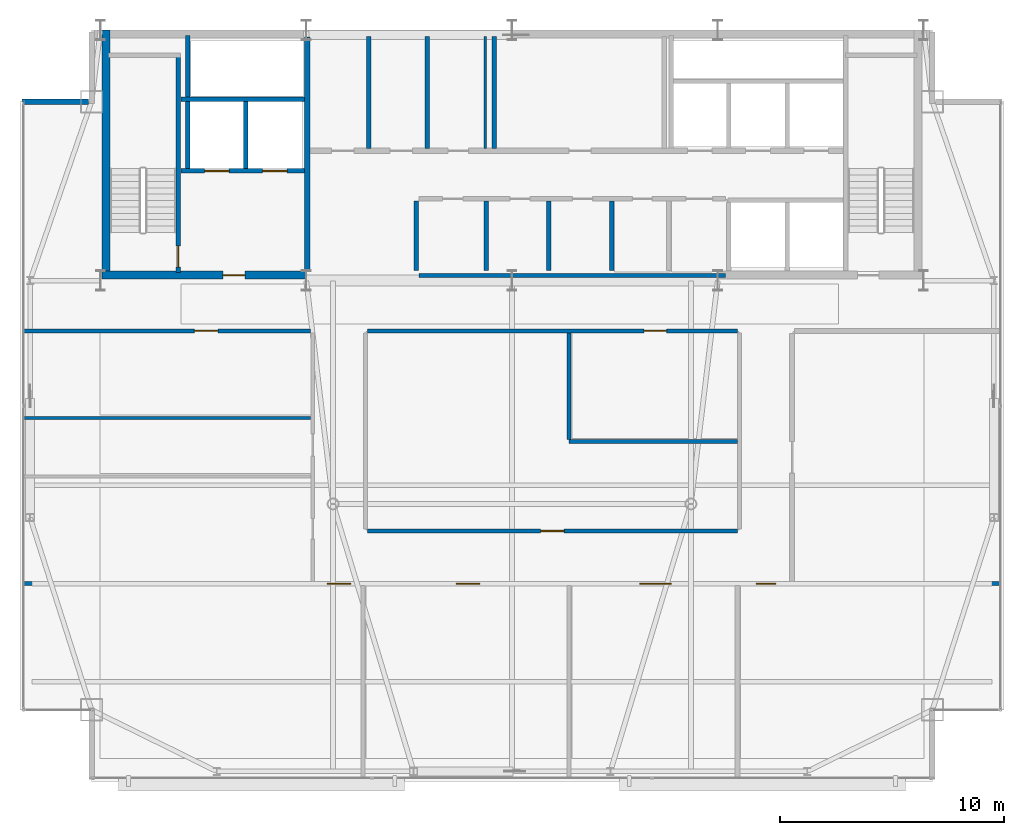
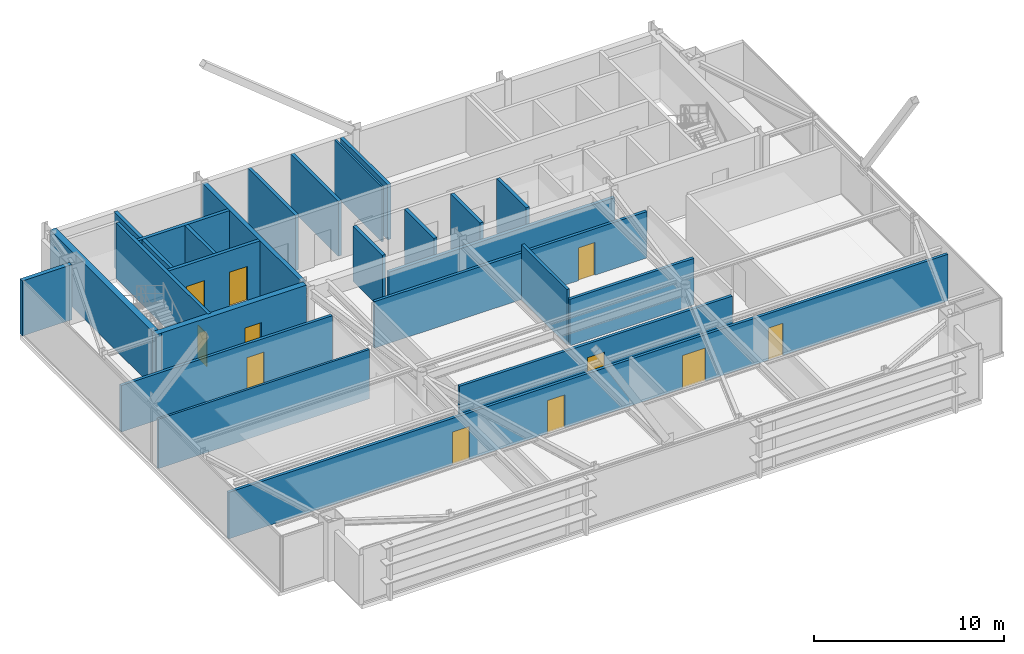
# One storey, part 21 of 24: 25 walls, 11 doors, 11 openings.
"""IFC4 building model written with IfcOpenShell, lengths in metres."""

from ifc_helpers import new_model, si_unit, direction, frame, frame_2d, origin, place, context, subcontext, project, spatial, rectangle, extrude, source, transform, mapped, material, layer, layer_set, type_object, type_shapes, element, fill, save


model = new_model("IFC4")

# Units and contexts
model_context = context("Model", 3, precision=1e-05, world=origin(), true_north=direction((0.0, 1.0)))
body_context = subcontext(model_context, "Body", "Model", "MODEL_VIEW")
ifc_project = project(units=[si_unit("LENGTHUNIT", "METRE"), si_unit("AREAUNIT", "SQUARE_METRE"), si_unit("VOLUMEUNIT", "CUBIC_METRE"), si_unit("PLANEANGLEUNIT", "RADIAN"), si_unit("MASSUNIT", "GRAM", prefix="KILO")], contexts=[model_context])

# Site, building, storey
site_placement = place(None, origin())
site = spatial("IfcSite", under=ifc_project, at=site_placement, CompositionType="ELEMENT")
building_placement = place(site_placement, origin())
building = spatial("IfcBuilding", under=site, at=building_placement, Name="Varnel Quay Broadcast Tower", CompositionType="ELEMENT")
storey_placement = place(building_placement, frame((0.0, 0.0, 262.199951171875)))
storey = spatial("IfcBuildingStorey", under=building, at=storey_placement, Name="L65", CompositionType="ELEMENT", Elevation=262.199951171875)

# Wall, opening, door
ifc_material_1 = material(Name="Concrete CSA A23.3 C50/60", Category="concrete")
ifc_layer_1 = layer(ifc_material_1, 0.199951171875, Name="Concrete CSA A23.3 C50/60")
ifc_layer_set_1 = layer_set([ifc_layer_1], Name="Concrete CSA A23.3 C50/60")
wall_type_1 = type_object("IfcWallType", Name="Wall_CoreShaftShear200", PredefinedType="SHEAR", material=ifc_layer_set_1)
wall_1_placement = place(storey_placement, frame((19.080078125, 35.949951171875, 0.0), z_axis=(0.0, 0.0, 1.0), x_axis=(0.0, 1.0, 0.0)))
wall_1 = element("IfcWall", 1, at=wall_1_placement, inside=storey, type_object=wall_type_1, Name="L65 Stair 1 East Structural Wall", PredefinedType="SHEAR", context=body_context, shape_type="SweptSolid", body=[
    extrude(rectangle(XDim=9.650146484375, YDim=0.199951171875, at=frame_2d((4.8251953125, 0.0))), origin(), (0.0, 0.0, 1.0), 3.550048828125),
])
opening_1_placement = place(wall_1_placement, frame((0.25, 0.0, 0.0)))
opening_1 = element("IfcOpeningElement", 2, at=opening_1_placement, cuts=wall_1, Name="Opening D-L65-S1", PredefinedType="OPENING", context=body_context, shape_type="SweptSolid", body=[
    extrude(rectangle(XDim=0.949951171875, YDim=2.10009765625, at=frame_2d((0.47509765625, 1.050048828125))), frame((0.0, 0.10986328125, 0.0), z_axis=(0.0, -1.0, 0.0), x_axis=(1.0, 0.0, 0.0)), (0.0, 0.0, 1.0), 0.219970703125),
])
ifc_material_2 = material(Name="Insulated Fire-Rated Hollow Steel Door", Category="steel")
door_type_1 = type_object("IfcDoorType", Name="Door_FireStair950", OperationType="NOTDEFINED", PredefinedType="DOOR", material=ifc_material_2)
shared_shape_1 = source(origin(), body_context, "Body", "SweptSolid", [
    extrude(rectangle(XDim=0.949951171875, YDim=2.10009765625, at=frame_2d((0.47509765625, 1.050048828125))), frame((0.0, 0.02490234375, 0.0), z_axis=(0.0, -1.0, 0.0), x_axis=(1.0, 0.0, 0.0)), (0.0, 0.0, 1.0), 0.050048828125),
])
type_shapes(door_type_1, [shared_shape_1])
door_1_placement = place(opening_1_placement, origin())
door_1 = element("IfcDoor", 3, at=door_1_placement, inside=storey, type_object=door_type_1, Name="L65 Stair 1 Fire Door", OperationType="SINGLE_SWING_LEFT", OverallHeight=2.10009765625, OverallWidth=0.949951171875, PredefinedType="DOOR", context=body_context, shape_type="MappedRepresentation", body=[
    mapped(shared_shape_1, transform((0.0, 0.0, 0.0), x_axis=(1.0, 0.0, 0.0), y_axis=(0.0, 1.0, 0.0), z_axis=(0.0, 0.0, 1.0), scale=1.0)),
])
fill(opening_1, door_1)

# Wall, openings, doors
wall_2_placement = place(storey_placement, frame((19.199951171875, 40.5, 0.0), z_axis=(0.0, 0.0, 1.0), x_axis=(1.0, 0.0, 0.0)))
wall_2 = element("IfcWall", 4, at=wall_2_placement, inside=storey, type_object=wall_type_1, Name="L65 Firefighter Lift Shaft Front Wall", PredefinedType="SHEAR", context=body_context, shape_type="SweptSolid", body=[
    extrude(rectangle(XDim=5.52001953125, YDim=0.199951171875, at=frame_2d((2.760009765625, 0.0))), origin(), (0.0, 0.0, 1.0), 3.550048828125),
])
opening_2_placement = place(wall_2_placement, frame((1.050048828125, 0.0, 0.0)))
opening_2 = element("IfcOpeningElement", 5, at=opening_2_placement, cuts=wall_2, Name="Opening LD-L65-FE1", PredefinedType="OPENING", context=body_context, shape_type="SweptSolid", body=[
    extrude(rectangle(XDim=1.10009765625, YDim=2.179931640625, at=frame_2d((0.550048828125, 1.08984375))), frame((0.0, 0.10986328125, 0.0), z_axis=(0.0, -1.0, 0.0), x_axis=(1.0, 0.0, 0.0)), (0.0, 0.0, 1.0), 0.219970703125),
])
opening_3_placement = place(wall_2_placement, frame((3.64990234375, 0.0, 0.0)))
opening_3 = element("IfcOpeningElement", 6, at=opening_3_placement, cuts=wall_2, Name="Opening LD-L65-FE2", PredefinedType="OPENING", context=body_context, shape_type="SweptSolid", body=[
    extrude(rectangle(XDim=1.10009765625, YDim=2.179931640625, at=frame_2d((0.550048828125, 1.08984375))), frame((0.0, 0.10986328125, 0.0), z_axis=(0.0, -1.0, 0.0), x_axis=(1.0, 0.0, 0.0)), (0.0, 0.0, 1.0), 0.219970703125),
])
ifc_material_3 = material(Name="Brushed Bronze-Stainless Lift Car & Sliding Doors", Category="steel")
door_type_2 = type_object("IfcDoorType", Name="Door_LiftLanding1100", OperationType="SLIDING_TO_LEFT", PredefinedType="DOOR", material=ifc_material_3)
shared_shape_2 = source(origin(), body_context, "Body", "SweptSolid", [
    extrude(rectangle(XDim=1.10009765625, YDim=2.179931640625, at=frame_2d((0.550048828125, 1.08984375))), frame((0.0, 0.02490234375, 0.0), z_axis=(0.0, -1.0, 0.0), x_axis=(1.0, 0.0, 0.0)), (0.0, 0.0, 1.0), 0.050048828125),
])
type_shapes(door_type_2, [shared_shape_2])
door_2_placement = place(opening_2_placement, frame((1.10009765625, 0.0, 0.0), z_axis=(0.0, 0.0, 1.0), x_axis=(-1.0, 0.0, 0.0)))
door_2 = element("IfcDoor", 7, at=door_2_placement, inside=storey, type_object=door_type_2, Name="L65 Firefighter Lift FE-01 Landing Door", OperationType="SLIDING_TO_LEFT", OverallHeight=2.179931640625, OverallWidth=1.10009765625, PredefinedType="DOOR", context=body_context, shape_type="MappedRepresentation", body=[
    mapped(shared_shape_2, transform((0.0, 0.0, 0.0), x_axis=(1.0, 0.0, 0.0), y_axis=(0.0, 1.0, 0.0), z_axis=(0.0, 0.0, 1.0), scale=1.0)),
])
fill(opening_2, door_2)
door_3_placement = place(opening_3_placement, frame((1.10009765625, 0.0, 0.0), z_axis=(0.0, 0.0, 1.0), x_axis=(-1.0, 0.0, 0.0)))
door_3 = element("IfcDoor", 8, at=door_3_placement, inside=storey, type_object=door_type_2, Name="L65 Firefighter Lift FE-02 Landing Door", OperationType="SLIDING_TO_RIGHT", OverallHeight=2.179931640625, OverallWidth=1.10009765625, PredefinedType="DOOR", context=body_context, shape_type="MappedRepresentation", body=[
    mapped(shared_shape_2, transform((0.0, 0.0, 0.0), x_axis=(1.0, 0.0, 0.0), y_axis=(0.0, 1.0, 0.0), z_axis=(0.0, 0.0, 1.0), scale=1.0)),
])
fill(opening_3, door_3)

# Walls
wall_3_placement = place(storey_placement, frame((19.199951171875, 43.699951171875, 0.0), z_axis=(0.0, 0.0, 1.0), x_axis=(1.0, 0.0, 0.0)))
element("IfcWall", 9, at=wall_3_placement, inside=storey, type_object=wall_type_1, Name="L65 Firefighter Lift Shaft Rear Wall", PredefinedType="SHEAR", context=body_context, shape_type="SweptSolid", body=[
    extrude(rectangle(XDim=5.52001953125, YDim=0.199951171875, at=frame_2d((2.760009765625, 0.0))), origin(), (0.0, 0.0, 1.0), 3.550048828125),
])
wall_4_placement = place(storey_placement, frame((22.10009765625, 40.60009765625, 0.0), z_axis=(0.0, 0.0, 1.0), x_axis=(0.0, 1.0, 0.0)))
element("IfcWall", 10, at=wall_4_placement, inside=storey, type_object=wall_type_1, Name="L65 Firefighter Lift Shaft Divider", PredefinedType="SHEAR", context=body_context, shape_type="SweptSolid", body=[
    extrude(rectangle(XDim=3.0, YDim=0.199951171875, at=frame_2d((1.5, 0.0))), origin(), (0.0, 0.0, 1.0), 3.550048828125),
])
wall_5_placement = place(storey_placement, frame((19.5, 40.60009765625, 0.0), z_axis=(0.0, 0.0, 1.0), x_axis=(0.0, 1.0, 0.0)))
element("IfcWall", 11, at=wall_5_placement, inside=storey, type_object=wall_type_1, Name="L65 Firefighter Lift Shaft West Wall", PredefinedType="SHEAR", context=body_context, shape_type="SweptSolid", body=[
    extrude(rectangle(XDim=5.949951171875, YDim=0.199951171875, at=frame_2d((2.97509765625, 0.0))), origin(), (0.0, 0.0, 1.0), 3.550048828125),
])
ifc_layer_2 = layer(ifc_material_1, 0.25, Name="Concrete CSA A23.3 C50/60")
ifc_layer_set_2 = layer_set([ifc_layer_2], Name="Concrete CSA A23.3 C50/60")
wall_type_2 = type_object("IfcWallType", Name="Wall_CoreShaftShear250", PredefinedType="SHEAR", material=ifc_layer_set_2)
wall_6_placement = place(storey_placement, frame((24.85009765625, 36.050048828125, 0.0), z_axis=(0.0, 0.0, 1.0), x_axis=(0.0, 1.0, 0.0)))
element("IfcWall", 12, at=wall_6_placement, inside=storey, type_object=wall_type_2, Name="L65 Firefighting Lobby East Structural Wall", PredefinedType="SHEAR", context=body_context, shape_type="SweptSolid", body=[
    extrude(rectangle(XDim=10.449951171875, YDim=0.25, at=frame_2d((5.22509765625, 0.0))), origin(), (0.0, 0.0, 1.0), 3.550048828125),
])
ifc_layer_3 = layer(ifc_material_1, 0.35009765625, Name="Concrete CSA A23.3 C50/60")
ifc_layer_set_3 = layer_set([ifc_layer_3], Name="Concrete CSA A23.3 C50/60")
wall_type_3 = type_object("IfcWallType", Name="Wall_CoreShearInt350", PredefinedType="SHEAR", material=ifc_layer_set_3)
wall_7_placement = place(storey_placement, frame((15.844970703125, 35.669921875, 0.0), z_axis=(0.0, 0.0, 1.0), x_axis=(0.0, 1.0, 0.0)))
element("IfcWall", 13, at=wall_7_placement, inside=storey, type_object=wall_type_3, Name="L65 West Core Shear Wall", PredefinedType="SHEAR", context=body_context, shape_type="SweptSolid", body=[
    extrude(rectangle(XDim=11.130126953125, YDim=0.35009765625, at=frame_2d((5.56494140625, 0.0))), origin(), (0.0, 0.0, 1.0), 3.550048828125),
])

# Wall, opening, door
wall_8_placement = place(storey_placement, frame((15.669921875, 35.844970703125, 0.0), z_axis=(0.0, 0.0, 1.0), x_axis=(1.0, 0.0, 0.0)))
wall_8 = element("IfcWall", 14, at=wall_8_placement, inside=storey, type_object=wall_type_3, Name="L65 South-West Core Shear Wall", PredefinedType="SHEAR", context=body_context, shape_type="SweptSolid", body=[
    extrude(rectangle(XDim=9.130126953125, YDim=0.35009765625, at=frame_2d((4.56494140625, 0.0))), origin(), (0.0, 0.0, 1.0), 3.550048828125),
])
opening_4_placement = place(wall_8_placement, frame((5.39990234375, 0.0, 0.0)))
opening_4 = element("IfcOpeningElement", 15, at=opening_4_placement, cuts=wall_8, Name="Opening D-L65-FFL", PredefinedType="OPENING", context=body_context, shape_type="SweptSolid", body=[
    extrude(rectangle(XDim=1.0, YDim=2.10009765625, at=frame_2d((0.5, 1.050048828125))), frame((0.0, 0.18505859375, 0.0), z_axis=(0.0, -1.0, 0.0), x_axis=(1.0, 0.0, 0.0)), (0.0, 0.0, 1.0), 0.3701171875),
])
door_type_3 = type_object("IfcDoorType", Name="Door_FireLobby1000", OperationType="NOTDEFINED", PredefinedType="DOOR", material=ifc_material_2)
shared_shape_3 = source(origin(), body_context, "Body", "SweptSolid", [
    extrude(rectangle(XDim=1.0, YDim=2.10009765625, at=frame_2d((0.5, 1.050048828125))), frame((0.0, 0.02490234375, 0.0), z_axis=(0.0, -1.0, 0.0), x_axis=(1.0, 0.0, 0.0)), (0.0, 0.0, 1.0), 0.050048828125),
])
type_shapes(door_type_3, [shared_shape_3])
door_4_placement = place(opening_4_placement, origin())
door_4 = element("IfcDoor", 16, at=door_4_placement, inside=storey, type_object=door_type_3, Name="L65 Firefighting Lobby Door", OperationType="SINGLE_SWING_RIGHT", OverallHeight=2.10009765625, OverallWidth=1.0, PredefinedType="DOOR", context=body_context, shape_type="MappedRepresentation", body=[
    mapped(shared_shape_3, transform((0.0, 0.0, 0.0), x_axis=(1.0, 0.0, 0.0), y_axis=(0.0, 1.0, 0.0), z_axis=(0.0, 0.0, 1.0), scale=1.0)),
])
fill(opening_4, door_4)

# Walls
ifc_material_4 = material(Name="Precast Architectural Concrete C40/50", Category="concrete")
ifc_layer_4 = layer(ifc_material_4, 0.25, Name="Precast Architectural Concrete C40/50")
ifc_layer_set_4 = layer_set([ifc_layer_4], Name="Precast Architectural Concrete C40/50")
wall_type_4 = type_object("IfcWallType", Name="Wall_ExtTerrace250", PredefinedType="SOLIDWALL", material=ifc_layer_set_4)
wall_9_placement = place(storey_placement, frame((12.080078125, 43.60009765625, 0.0), z_axis=(0.0, 0.0, 1.0), x_axis=(1.0, 0.0, 0.0)))
element("IfcWall", 17, at=wall_9_placement, inside=storey, type_object=wall_type_4, Name="L65 Mega-Column Notch Cladding Wall NNW1", PredefinedType="SOLIDWALL", context=body_context, shape_type="SweptSolid", body=[
    extrude(rectangle(XDim=2.989990234375, YDim=0.25, at=frame_2d((1.4951171875, 0.0))), origin(), (0.0, 0.0, 1.0), 3.530029296875),
])
ifc_material_5 = material(Name="Concrete Blockwork Fire Enclosure C40/50", Category="masonry")
ifc_layer_5 = layer(ifc_material_5, 0.199951171875, Name="Concrete Blockwork Fire Enclosure C40/50")
ifc_layer_set_5 = layer_set([ifc_layer_5], Name="Concrete Blockwork Fire Enclosure C40/50")
wall_type_5 = type_object("IfcWallType", Name="Wall_FireShaft200", PredefinedType="SOLIDWALL", material=ifc_layer_set_5)
wall_10_placement = place(storey_placement, frame((29.85009765625, 35.824951171875, 0.0), z_axis=(0.0, 0.0, 1.0), x_axis=(1.0, 0.0, 0.0)))
element("IfcWall", 18, at=wall_10_placement, inside=storey, type_object=wall_type_5, Name="L65 Accessible Washroom Partition 1", PredefinedType="SOLIDWALL", context=body_context, shape_type="SweptSolid", body=[
    extrude(rectangle(XDim=13.699951171875, YDim=0.199951171875, at=frame_2d((6.85009765625, 0.0))), origin(), (0.0, 0.0, 1.0), 2.574951171875),
])
for number, where, z_axis, x_axis, name in (
    (19, (27.60009765625, 41.5, 0.0), (0.0, 0.0, 1.0), (0.0, 1.0, 0.0), "L65 Ingest Rack Bay A Partition 24"),
    (20, (30.199951171875, 41.5, 0.0), (0.0, 0.0, 1.0), (0.0, 1.0, 0.0), "L65 Fiber Patch Bay Partition 25"),
    (21, (33.199951171875, 41.5, 0.0), (0.0, 0.0, 1.0), (0.0, 1.0, 0.0), "L65 High-Zone Broadcast Rack Hall Partition 28"),
):
    element("IfcWall", number, at=place(storey_placement, frame(where, z_axis=z_axis, x_axis=x_axis)), inside=storey, type_object=wall_type_5, Name=name, PredefinedType="SOLIDWALL", context=body_context, shape_type="SweptSolid", body=[
        extrude(rectangle(XDim=5.02001953125, YDim=0.199951171875, at=frame_2d((2.510009765625, 0.0))), origin(), (0.0, 0.0, 1.0), 3.530029296875),
    ])
ifc_material_6 = material(Name="Steel-Stud Fire-Rated Acoustic Gypsum Partition Assembly", Category="steel")
ifc_layer_6 = layer(ifc_material_6, 0.10498046875, Name="Steel-Stud Fire-Rated Acoustic Gypsum Partition Assembly")
ifc_layer_set_6 = layer_set([ifc_layer_6], Name="Steel-Stud Fire-Rated Acoustic Gypsum Partition Assembly")
wall_type_6 = type_object("IfcWallType", Name="Wall_Partition105", PredefinedType="PARTITIONING", material=ifc_layer_set_6)
wall_11_placement = place(storey_placement, frame((32.800048828125, 41.5, 0.0), z_axis=(0.0, 0.0, 1.0), x_axis=(0.0, 1.0, 0.0)))
element("IfcWall", 22, at=wall_11_placement, inside=storey, type_object=wall_type_6, Name="L65 Telemetry Store Partition 26", PredefinedType="PARTITIONING", context=body_context, shape_type="SweptSolid", body=[
    extrude(rectangle(XDim=5.02001953125, YDim=0.10498046875, at=frame_2d((2.510009765625, 0.0))), origin(), (0.0, 0.0, 1.0), 3.530029296875),
])
ifc_layer_7 = layer(ifc_material_6, 0.139892578125, Name="Steel-Stud Fire-Rated Acoustic Gypsum Partition Assembly")
ifc_layer_set_7 = layer_set([ifc_layer_7], Name="Steel-Stud Fire-Rated Acoustic Gypsum Partition Assembly")
wall_type_7 = type_object("IfcWallType", Name="Wall_Partition140", PredefinedType="PARTITIONING", material=ifc_layer_set_7)
wall_12_placement = place(storey_placement, frame((12.179931640625, 29.449951171875, 0.0), z_axis=(0.0, 0.0, 1.0), x_axis=(1.0, 0.0, 0.0)))
element("IfcWall", 23, at=wall_12_placement, inside=storey, type_object=wall_type_7, Name="L65 Reading Lounge 6 Partition 14", PredefinedType="PARTITIONING", context=body_context, shape_type="SweptSolid", body=[
    extrude(rectangle(XDim=12.81005859375, YDim=0.139892578125, at=frame_2d((6.405029296875, 0.0))), origin(), (0.0, 0.0, 1.0), 3.171142578125),
])

# Wall, openings, doors
ifc_layer_8 = layer(ifc_material_6, 0.175048828125, Name="Steel-Stud Fire-Rated Acoustic Gypsum Partition Assembly")
ifc_layer_set_8 = layer_set([ifc_layer_8], Name="Steel-Stud Fire-Rated Acoustic Gypsum Partition Assembly")
wall_type_8 = type_object("IfcWallType", Name="Wall_Partition175", PredefinedType="PARTITIONING", material=ifc_layer_set_8)
wall_13_placement = place(storey_placement, frame((12.179931640625, 22.050048828125, 0.0), z_axis=(0.0, 0.0, 1.0), x_axis=(1.0, 0.0, 0.0)))
wall_13 = element("IfcWall", 24, at=wall_13_placement, inside=storey, type_object=wall_type_8, Name="L65 Press Briefing Room 1 Partition 9", PredefinedType="PARTITIONING", context=body_context, shape_type="SweptSolid", body=[
    extrude(rectangle(XDim=43.64013671875, YDim=0.175048828125, at=frame_2d((21.820068359375, 0.0))), origin(), (0.0, 0.0, 1.0), 2.98095703125),
])
opening_5_placement = place(wall_13_placement, frame((13.56005859375, 0.0, 0.0)))
opening_5 = element("IfcOpeningElement", 25, at=opening_5_placement, cuts=wall_13, Name="Opening D-L65-06", PredefinedType="OPENING", context=body_context, shape_type="SweptSolid", body=[
    extrude(rectangle(XDim=1.050048828125, YDim=2.10009765625, at=frame_2d((0.52490234375, 1.050048828125))), frame((0.0, 0.09765625, 0.0), z_axis=(0.0, -1.0, 0.0), x_axis=(1.0, 0.0, 0.0)), (0.0, 0.0, 1.0), 0.195068359375),
])
opening_6_placement = place(wall_13_placement, frame((19.3349609375, 0.0, 0.0)))
opening_6 = element("IfcOpeningElement", 26, at=opening_6_placement, cuts=wall_13, Name="Opening D-L65-07", PredefinedType="OPENING", context=body_context, shape_type="SweptSolid", body=[
    extrude(rectangle(XDim=1.050048828125, YDim=2.10009765625, at=frame_2d((0.52490234375, 1.050048828125))), frame((0.0, 0.09765625, 0.0), z_axis=(0.0, -1.0, 0.0), x_axis=(1.0, 0.0, 0.0)), (0.0, 0.0, 1.0), 0.195068359375),
])
opening_7_placement = place(wall_13_placement, frame((27.530029296875, 0.0, 0.0)))
opening_7 = element("IfcOpeningElement", 27, at=opening_7_placement, cuts=wall_13, Name="Opening D-L65-08", PredefinedType="OPENING", context=body_context, shape_type="SweptSolid", body=[
    extrude(rectangle(XDim=1.39990234375, YDim=2.1201171875, at=frame_2d((0.699951171875, 1.06005859375))), frame((0.0, 0.09765625, 0.0), z_axis=(0.0, -1.0, 0.0), x_axis=(1.0, 0.0, 0.0)), (0.0, 0.0, 1.0), 0.195068359375),
])
opening_8_placement = place(wall_13_placement, frame((32.735107421875, 0.0, 0.0)))
opening_8 = element("IfcOpeningElement", 28, at=opening_8_placement, cuts=wall_13, Name="Opening D-L65-09", PredefinedType="OPENING", context=body_context, shape_type="SweptSolid", body=[
    extrude(rectangle(XDim=0.8798828125, YDim=2.06005859375, at=frame_2d((0.43994140625, 1.030029296875))), frame((0.0, 0.09765625, 0.0), z_axis=(0.0, -1.0, 0.0), x_axis=(1.0, 0.0, 0.0)), (0.0, 0.0, 1.0), 0.195068359375),
])
ifc_material_7 = material(Name="Solid-Core Fire-Rated Acoustic Oak Veneer Door", Category="wood")
door_type_4 = type_object("IfcDoorType", Name="Door_Booth880", OperationType="NOTDEFINED", PredefinedType="DOOR", material=ifc_material_7)
shared_shape_4 = source(origin(), body_context, "Body", "SweptSolid", [
    extrude(rectangle(XDim=0.8798828125, YDim=2.06005859375, at=frame_2d((0.43994140625, 1.030029296875))), frame((0.0, 0.02490234375, 0.0), z_axis=(0.0, -1.0, 0.0), x_axis=(1.0, 0.0, 0.0)), (0.0, 0.0, 1.0), 0.050048828125),
])
type_shapes(door_type_4, [shared_shape_4])
door_5_placement = place(opening_8_placement, frame((0.8798828125, 0.0, 0.0), z_axis=(0.0, 0.0, 1.0), x_axis=(-1.0, 0.0, 0.0)))
door_5 = element("IfcDoor", 29, at=door_5_placement, inside=storey, type_object=door_type_4, Name="L65 Catering Kitchen 4 Door D-L65-09", OperationType="SINGLE_SWING_LEFT", OverallHeight=2.06005859375, OverallWidth=0.8798828125, PredefinedType="DOOR", context=body_context, shape_type="MappedRepresentation", body=[
    mapped(shared_shape_4, transform((0.0, 0.0, 0.0), x_axis=(1.0, 0.0, 0.0), y_axis=(0.0, 1.0, 0.0), z_axis=(0.0, 0.0, 1.0), scale=1.0)),
])
fill(opening_8, door_5)
door_type_5 = type_object("IfcDoorType", Name="Door_Meeting1050", OperationType="NOTDEFINED", PredefinedType="DOOR", material=ifc_material_7)
shared_shape_5 = source(origin(), body_context, "Body", "SweptSolid", [
    extrude(rectangle(XDim=1.050048828125, YDim=2.10009765625, at=frame_2d((0.52490234375, 1.050048828125))), frame((0.0, 0.02490234375, 0.0), z_axis=(0.0, -1.0, 0.0), x_axis=(1.0, 0.0, 0.0)), (0.0, 0.0, 1.0), 0.050048828125),
])
type_shapes(door_type_5, [shared_shape_5])
door_6_placement = place(opening_5_placement, frame((1.050048828125, 0.0, 0.0), z_axis=(0.0, 0.0, 1.0), x_axis=(-1.0, 0.0, 0.0)))
door_6 = element("IfcDoor", 30, at=door_6_placement, inside=storey, type_object=door_type_5, Name="L65 Press Briefing Room 1 Door D-L65-06", OperationType="SINGLE_SWING_LEFT", OverallHeight=2.10009765625, OverallWidth=1.050048828125, PredefinedType="DOOR", context=body_context, shape_type="MappedRepresentation", body=[
    mapped(shared_shape_5, transform((0.0, 0.0, 0.0), x_axis=(1.0, 0.0, 0.0), y_axis=(0.0, 1.0, 0.0), z_axis=(0.0, 0.0, 1.0), scale=1.0)),
])
fill(opening_5, door_6)
door_7_placement = place(opening_6_placement, frame((1.050048828125, 0.0, 0.0), z_axis=(0.0, 0.0, 1.0), x_axis=(-1.0, 0.0, 0.0)))
door_7 = element("IfcDoor", 31, at=door_7_placement, inside=storey, type_object=door_type_5, Name="L65 Editorial Huddle Room 2 Door D-L65-07", OperationType="SINGLE_SWING_RIGHT", OverallHeight=2.10009765625, OverallWidth=1.050048828125, PredefinedType="DOOR", context=body_context, shape_type="MappedRepresentation", body=[
    mapped(shared_shape_5, transform((0.0, 0.0, 0.0), x_axis=(1.0, 0.0, 0.0), y_axis=(0.0, 1.0, 0.0), z_axis=(0.0, 0.0, 1.0), scale=1.0)),
])
fill(opening_6, door_7)
door_type_6 = type_object("IfcDoorType", Name="Door_Gallery1400", OperationType="DOUBLE_DOOR_SINGLE_SWING", PredefinedType="DOOR", material=ifc_material_7)
shared_shape_6 = source(origin(), body_context, "Body", "SweptSolid", [
    extrude(rectangle(XDim=1.39990234375, YDim=2.1201171875, at=frame_2d((0.699951171875, 1.06005859375))), frame((0.0, 0.02490234375, 0.0), z_axis=(0.0, -1.0, 0.0), x_axis=(1.0, 0.0, 0.0)), (0.0, 0.0, 1.0), 0.050048828125),
])
type_shapes(door_type_6, [shared_shape_6])
door_8_placement = place(opening_7_placement, frame((1.39990234375, 0.0, 0.0), z_axis=(0.0, 0.0, 1.0), x_axis=(-1.0, 0.0, 0.0)))
door_8 = element("IfcDoor", 32, at=door_8_placement, inside=storey, type_object=door_type_6, Name="L65 Journalism Training Studio 3 Door D-L65-08", OperationType="DOUBLE_DOOR_SINGLE_SWING", OverallHeight=2.1201171875, OverallWidth=1.39990234375, PredefinedType="DOOR", context=body_context, shape_type="MappedRepresentation", body=[
    mapped(shared_shape_6, transform((0.0, 0.0, 0.0), x_axis=(1.0, 0.0, 0.0), y_axis=(0.0, 1.0, 0.0), z_axis=(0.0, 0.0, 1.0), scale=1.0)),
])
fill(opening_7, door_8)

# Wall, opening, door
wall_14_placement = place(storey_placement, frame((12.179931640625, 33.35009765625, 0.0), z_axis=(0.0, 0.0, 1.0), x_axis=(1.0, 0.0, 0.0)))
wall_14 = element("IfcWall", 33, at=wall_14_placement, inside=storey, type_object=wall_type_8, Name="L65 Broadcast Seminar Room 7 Partition 15", PredefinedType="PARTITIONING", context=body_context, shape_type="SweptSolid", body=[
    extrude(rectangle(XDim=12.81005859375, YDim=0.175048828125, at=frame_2d((6.405029296875, 0.0))), origin(), (0.0, 0.0, 1.0), 2.98095703125),
])
opening_9_placement = place(wall_14_placement, frame((7.614990234375, 0.0, 0.0)))
opening_9 = element("IfcOpeningElement", 34, at=opening_9_placement, cuts=wall_14, Name="Opening D-L65-12", PredefinedType="OPENING", context=body_context, shape_type="SweptSolid", body=[
    extrude(rectangle(XDim=1.050048828125, YDim=2.10009765625, at=frame_2d((0.52490234375, 1.050048828125))), frame((0.0, 0.09765625, 0.0), z_axis=(0.0, -1.0, 0.0), x_axis=(1.0, 0.0, 0.0)), (0.0, 0.0, 1.0), 0.195068359375),
])
door_9_placement = place(opening_9_placement, frame((1.050048828125, 0.0, 0.0), z_axis=(0.0, 0.0, 1.0), x_axis=(-1.0, 0.0, 0.0)))
door_9 = element("IfcDoor", 35, at=door_9_placement, inside=storey, type_object=door_type_5, Name="L65 Broadcast Seminar Room 7 Door D-L65-12", OperationType="SINGLE_SWING_RIGHT", OverallHeight=2.10009765625, OverallWidth=1.050048828125, PredefinedType="DOOR", context=body_context, shape_type="MappedRepresentation", body=[
    mapped(shared_shape_5, transform((0.0, 0.0, 0.0), x_axis=(1.0, 0.0, 0.0), y_axis=(0.0, 1.0, 0.0), z_axis=(0.0, 0.0, 1.0), scale=1.0)),
])
fill(opening_9, door_9)

wall_15_placement = place(storey_placement, frame((27.5400390625, 24.39990234375, 0.0), z_axis=(0.0, 0.0, 1.0), x_axis=(1.0, 0.0, 0.0)))
wall_15 = element("IfcWall", 36, at=wall_15_placement, inside=storey, type_object=wall_type_8, Name="L65 Editorial Huddle Room 8 Partition 16", PredefinedType="PARTITIONING", context=body_context, shape_type="SweptSolid", body=[
    extrude(rectangle(XDim=16.5400390625, YDim=0.175048828125, at=frame_2d((8.27001953125, 0.0))), origin(), (0.0, 0.0, 1.0), 2.98095703125),
])
opening_10_placement = place(wall_15_placement, frame((7.7451171875, 0.0, 0.0)))
opening_10 = element("IfcOpeningElement", 37, at=opening_10_placement, cuts=wall_15, Name="Opening D-L65-13", PredefinedType="OPENING", context=body_context, shape_type="SweptSolid", body=[
    extrude(rectangle(XDim=1.050048828125, YDim=2.10009765625, at=frame_2d((0.52490234375, 1.050048828125))), frame((0.0, 0.09765625, 0.0), z_axis=(0.0, -1.0, 0.0), x_axis=(1.0, 0.0, 0.0)), (0.0, 0.0, 1.0), 0.195068359375),
])
door_10_placement = place(opening_10_placement, origin())
door_10 = element("IfcDoor", 38, at=door_10_placement, inside=storey, type_object=door_type_5, Name="L65 Editorial Huddle Room 8 Door D-L65-13", OperationType="SINGLE_SWING_LEFT", OverallHeight=2.10009765625, OverallWidth=1.050048828125, PredefinedType="DOOR", context=body_context, shape_type="MappedRepresentation", body=[
    mapped(shared_shape_5, transform((0.0, 0.0, 0.0), x_axis=(1.0, 0.0, 0.0), y_axis=(0.0, 1.0, 0.0), z_axis=(0.0, 0.0, 1.0), scale=1.0)),
])
fill(opening_10, door_10)

# Walls
wall_16_placement = place(storey_placement, frame((36.5400390625, 28.39990234375, 0.0), z_axis=(0.0, 0.0, 1.0), x_axis=(1.0, 0.0, 0.0)))
element("IfcWall", 39, at=wall_16_placement, inside=storey, type_object=wall_type_8, Name="L65 Editorial Huddle Room 8 Partition 18", PredefinedType="PARTITIONING", context=body_context, shape_type="SweptSolid", body=[
    extrude(rectangle(XDim=7.5400390625, YDim=0.175048828125, at=frame_2d((3.77001953125, 0.0))), origin(), (0.0, 0.0, 1.0), 2.98095703125),
])
wall_17_placement = place(storey_placement, frame((36.5400390625, 28.487060546875, 0.0), z_axis=(0.0, 0.0, 1.0), x_axis=(0.0, 1.0, 0.0)))
element("IfcWall", 40, at=wall_17_placement, inside=storey, type_object=wall_type_8, Name="L65 Editorial Huddle Room 8 Partition 19", PredefinedType="PARTITIONING", context=body_context, shape_type="SweptSolid", body=[
    extrude(rectangle(XDim=4.77587890625, YDim=0.175048828125, at=frame_2d((2.387939453125, 0.0))), origin(), (0.0, 0.0, 1.0), 3.530029296875),
])

# Wall, opening, door
wall_18_placement = place(storey_placement, frame((27.5400390625, 33.35009765625, 0.0), z_axis=(0.0, 0.0, 1.0), x_axis=(1.0, 0.0, 0.0)))
wall_18 = element("IfcWall", 41, at=wall_18_placement, inside=storey, type_object=wall_type_8, Name="L65 Editorial Huddle Room 8 Partition 20", PredefinedType="PARTITIONING", context=body_context, shape_type="SweptSolid", body=[
    extrude(rectangle(XDim=16.5400390625, YDim=0.175048828125, at=frame_2d((8.27001953125, 0.0))), origin(), (0.0, 0.0, 1.0), 2.98095703125),
])
opening_11_placement = place(wall_18_placement, frame((12.3701171875, 0.0, 0.0)))
opening_11 = element("IfcOpeningElement", 42, at=opening_11_placement, cuts=wall_18, Name="Opening D-L65-14", PredefinedType="OPENING", context=body_context, shape_type="SweptSolid", body=[
    extrude(rectangle(XDim=1.0, YDim=2.10009765625, at=frame_2d((0.5, 1.050048828125))), frame((0.0, 0.09765625, 0.0), z_axis=(0.0, -1.0, 0.0), x_axis=(1.0, 0.0, 0.0)), (0.0, 0.0, 1.0), 0.195068359375),
])
door_type_7 = type_object("IfcDoorType", Name="Door_Exec1000", OperationType="NOTDEFINED", PredefinedType="DOOR", material=ifc_material_7)
shared_shape_7 = source(origin(), body_context, "Body", "SweptSolid", [
    extrude(rectangle(XDim=1.0, YDim=2.10009765625, at=frame_2d((0.5, 1.050048828125))), frame((0.0, 0.02490234375, 0.0), z_axis=(0.0, -1.0, 0.0), x_axis=(1.0, 0.0, 0.0)), (0.0, 0.0, 1.0), 0.050048828125),
])
type_shapes(door_type_7, [shared_shape_7])
door_11_placement = place(opening_11_placement, frame((1.0, 0.0, 0.0), z_axis=(0.0, 0.0, 1.0), x_axis=(-1.0, 0.0, 0.0)))
door_11 = element("IfcDoor", 43, at=door_11_placement, inside=storey, type_object=door_type_7, Name="L65 Reading Lounge 9 Door D-L65-14", OperationType="SINGLE_SWING_RIGHT", OverallHeight=2.10009765625, OverallWidth=1.0, PredefinedType="DOOR", context=body_context, shape_type="MappedRepresentation", body=[
    mapped(shared_shape_7, transform((0.0, 0.0, 0.0), x_axis=(1.0, 0.0, 0.0), y_axis=(0.0, 1.0, 0.0), z_axis=(0.0, 0.0, 1.0), scale=1.0)),
])
fill(opening_11, door_11)

# Walls
ifc_material_8 = material(Name="Fire-Rated Moisture-Resistant Plumbing Chase Partition")
ifc_layer_9 = layer(ifc_material_8, 0.199951171875, Name="Fire-Rated Moisture-Resistant Plumbing Chase Partition")
ifc_layer_set_9 = layer_set([ifc_layer_9], Name="Fire-Rated Moisture-Resistant Plumbing Chase Partition")
wall_type_9 = type_object("IfcWallType", Name="Wall_Plumbing200", PredefinedType="PLUMBINGWALL", material=ifc_layer_set_9)
for number, where, z_axis, x_axis, name in (
    (44, (32.85009765625, 36.050048828125, 0.0), (0.0, 0.0, 1.0), (0.0, 1.0, 0.0), "L65 Accessible Washroom Partition 2"),
    (45, (29.72509765625, 36.050048828125, 0.0), (0.0, 0.0, 1.0), (0.0, 1.0, 0.0), "L65 Accessible Washroom Partition 4"),
    (46, (35.64990234375, 36.050048828125, 0.0), (0.0, 0.0, 1.0), (0.0, 1.0, 0.0), "L65 West Gender-Neutral Washroom Partition 5"),
    (47, (38.449951171875, 36.050048828125, 0.0), (0.0, 0.0, 1.0), (0.0, 1.0, 0.0), "L65 East Staff Washroom Partition 6"),
):
    element("IfcWall", number, at=place(storey_placement, frame(where, z_axis=z_axis, x_axis=x_axis)), inside=storey, type_object=wall_type_9, Name=name, PredefinedType="PLUMBINGWALL", context=body_context, shape_type="SweptSolid", body=[
        extrude(rectangle(XDim=3.099853515625, YDim=0.199951171875, at=frame_2d((1.5498046875, 0.0))), origin(), (0.0, 0.0, 1.0), 3.530029296875),
    ])

save(model, "model.ifc")
